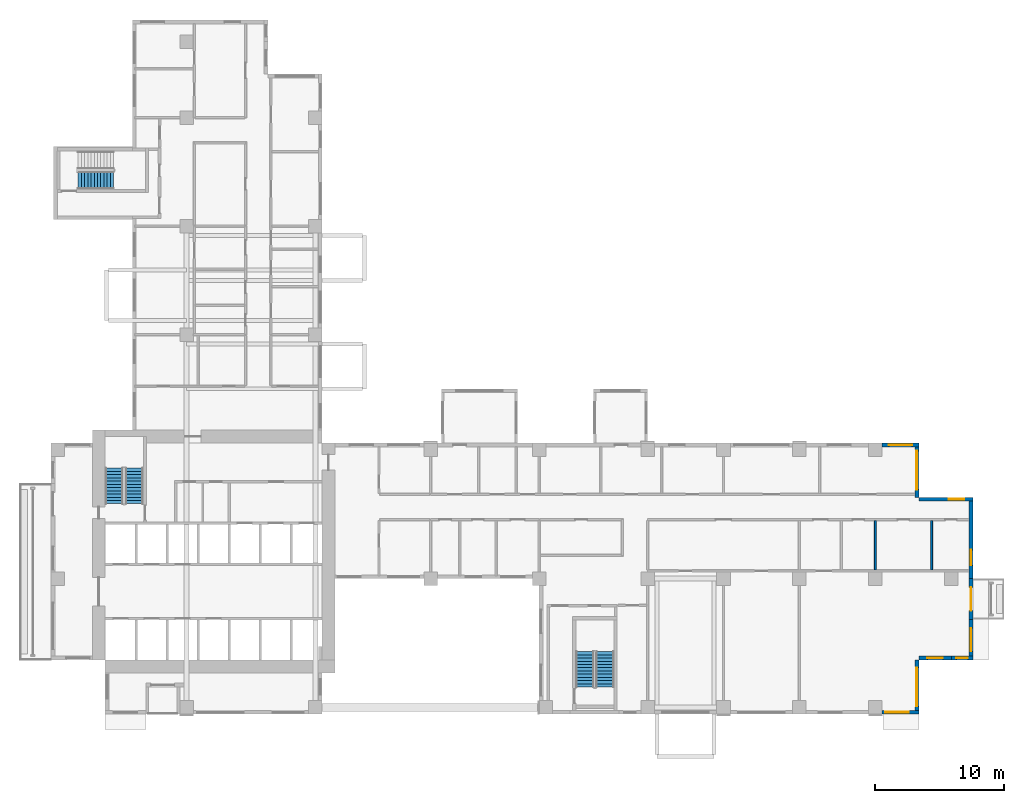
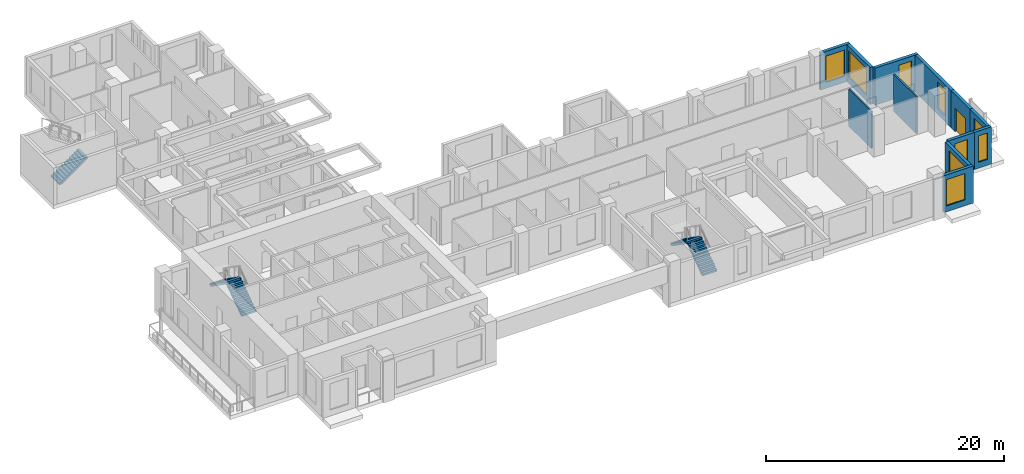
# One storey, part 8 of 14: 12 walls, 9 windows, 5 stair flights, 1 door, 10 openings, 3 elements without a shape of their own.
"""IFC4 building model written with IfcOpenShell, lengths in metres."""

from ifc_helpers import new_model, si_unit, direction, frame, frame_2d, origin, place, context, subcontext, project, spatial, polyline, rectangle, outline, extrude, source, transform, mapped, material, layer, layer_set, type_object, element, fill, aggregate, save


model = new_model("IFC4")

# Units and contexts
model_context = context("Model", 3, precision=1e-05, world=origin(), true_north=direction((0.0, 1.0)))
body_context = subcontext(model_context, "Body", "Model", "MODEL_VIEW")
ifc_project = project(units=[si_unit("LENGTHUNIT", "METRE"), si_unit("AREAUNIT", "SQUARE_METRE"), si_unit("VOLUMEUNIT", "CUBIC_METRE"), si_unit("PLANEANGLEUNIT", "RADIAN"), si_unit("MASSUNIT", "GRAM", prefix="KILO")], contexts=[model_context])

# Site, building, storey
site_placement = place(None, origin())
site = spatial("IfcSite", under=ifc_project, at=site_placement, CompositionType="ELEMENT")
building_placement = place(site_placement, origin())
building = spatial("IfcBuilding", under=site, at=building_placement, Name="Aurelian Terraces", CompositionType="ELEMENT")
storey_placement = place(building_placement, frame((0.0, 0.0, 103.5)))
storey = spatial("IfcBuildingStorey", under=building, at=storey_placement, Name="L22", CompositionType="ELEMENT", Elevation=103.5)

# Wall, opening, window
ifc_material_1 = material(Name="Terracotta rainscreen cladding", Category="masonry")
ifc_layer_1 = layer(ifc_material_1, 0.3)
ifc_layer_set_1 = layer_set([ifc_layer_1], Name="EW-300")
wall_type_1 = type_object("IfcWallType", Name="EW-300", PredefinedType="STANDARD", material=ifc_layer_set_1)
wall_1_placement = place(storey_placement, frame((64.365, 0.15, 0.0), z_axis=(0.0, 0.0, 1.0), x_axis=(1.0, 0.0, 0.0)))
wall_1 = element("IfcWall", 1, at=wall_1_placement, inside=storey, type_object=wall_type_1, Name="External wall L22 F05.13", PredefinedType="STANDARD", context=body_context, shape_type="SweptSolid", body=[
    extrude(rectangle(XDim=2.835, YDim=0.3, at=frame_2d((1.4175, 0.0))), origin(), (0.0, 0.0, 1.0), 3.8),
])
shared_shape_1 = source(origin(), body_context, "Body", "SweptSolid", [
    extrude(rectangle(XDim=1.8, YDim=2.7, at=frame_2d((0.9, 1.35))), frame((0.0, 0.16, 0.0), z_axis=(0.0, -1.0, 0.0), x_axis=(1.0, 0.0, 0.0)), (0.0, 0.0, 1.0), 0.32),
])
opening_1_placement = place(wall_1_placement, frame((0.255, 0.0, 0.6)))
opening_1 = element("IfcOpeningElement", 2, at=opening_1_placement, cuts=wall_1, Name="Opening W1827", PredefinedType="OPENING", context=body_context, shape_type="MappedRepresentation", body=[
    mapped(shared_shape_1, transform((0.0, 0.0, 0.0), scale=1.0)),
])
ifc_material_2 = material(Name="Clear glazing", Category="glass")
window_type_1 = type_object("IfcWindowType", Name="W-1800x2700", PartitioningType="SINGLE_PANEL", PredefinedType="WINDOW", material=ifc_material_2)
shared_shape_2 = source(origin(), body_context, "Body", "SweptSolid", [
    extrude(rectangle(XDim=1.8, YDim=2.7, at=frame_2d((0.9, 1.35))), frame((0.0, 0.03, 0.0), z_axis=(0.0, -1.0, 0.0), x_axis=(1.0, 0.0, 0.0)), (0.0, 0.0, 1.0), 0.06),
])
window_1_placement = place(opening_1_placement, origin())
window_1 = element("IfcWindow", 3, at=window_1_placement, inside=storey, type_object=window_type_1, Name="Window L22 L22-F05-13-0", OverallHeight=2.7, OverallWidth=1.8, PartitioningType="SINGLE_PANEL", PredefinedType="WINDOW", context=body_context, shape_type="MappedRepresentation", body=[
    mapped(shared_shape_2, transform((0.0, 0.0, 0.0), scale=1.0)),
])
fill(opening_1, window_1)

shared_shape_3 = source(origin(), body_context, "Body", "SweptSolid", [
    extrude(rectangle(XDim=3.15, YDim=0.3, at=frame_2d((1.575, 0.0))), origin(), (0.0, 0.0, 1.0), 3.8),
])
wall_2_placement = place(storey_placement, frame((71.25, 4.2, 0.0), z_axis=(0.0, 0.0, 1.0), x_axis=(0.0, 1.0, 0.0)))
wall_2 = element("IfcWall", 4, at=wall_2_placement, inside=storey, type_object=wall_type_1, Name="External wall L22 F08.17", PredefinedType="STANDARD", context=body_context, shape_type="MappedRepresentation", body=[
    mapped(shared_shape_3, transform((0.0, 0.0, 0.0), scale=1.0)),
])
opening_2_placement = place(wall_2_placement, frame((0.675, 0.0, 0.6)))
opening_2 = element("IfcOpeningElement", 5, at=opening_2_placement, cuts=wall_2, Name="Opening W1827", PredefinedType="OPENING", context=body_context, shape_type="MappedRepresentation", body=[
    mapped(shared_shape_1, transform((0.0, 0.0, 0.0), scale=1.0)),
])
window_2_placement = place(opening_2_placement, origin())
window_2 = element("IfcWindow", 6, at=window_2_placement, inside=storey, type_object=window_type_1, Name="Window L22 L22-F08-17-0", OverallHeight=2.7, OverallWidth=1.8, PartitioningType="SINGLE_PANEL", PredefinedType="WINDOW", context=body_context, shape_type="MappedRepresentation", body=[
    mapped(shared_shape_2, transform((0.0, 0.0, 0.0), scale=1.0)),
])
fill(opening_2, window_2)

# Wall, opening, door
wall_3_placement = place(storey_placement, frame((71.25, 7.35, 0.0), z_axis=(0.0, 0.0, 1.0), x_axis=(0.0, 1.0, 0.0)))
wall_3 = element("IfcWall", 7, at=wall_3_placement, inside=storey, type_object=wall_type_1, Name="External wall L22 F08.18", PredefinedType="STANDARD", context=body_context, shape_type="MappedRepresentation", body=[
    mapped(shared_shape_3, transform((0.0, 0.0, 0.0), scale=1.0)),
])
shared_shape_4 = source(origin(), body_context, "Body", "SweptSolid", [
    extrude(rectangle(XDim=1.8, YDim=2.4, at=frame_2d((0.9, 1.2))), frame((0.0, 0.16, 0.0), z_axis=(0.0, -1.0, 0.0), x_axis=(1.0, 0.0, 0.0)), (0.0, 0.0, 1.0), 0.32),
])
opening_3_placement = place(wall_3_placement, frame((0.675, 0.0, 0.0)))
opening_3 = element("IfcOpeningElement", 8, at=opening_3_placement, cuts=wall_3, Name="Opening 82202", PredefinedType="OPENING", context=body_context, shape_type="MappedRepresentation", body=[
    mapped(shared_shape_4, transform((0.0, 0.0, 0.0), scale=1.0)),
])
door_type = type_object("IfcDoorType", Name="BD-1800x2400", OperationType="SLIDING_TO_LEFT", PredefinedType="DOOR", material=ifc_material_2)
shared_shape_5 = source(origin(), body_context, "Body", "SweptSolid", [
    extrude(rectangle(XDim=1.8, YDim=2.4, at=frame_2d((0.9, 1.2))), frame((0.0, 0.025, 0.0), z_axis=(0.0, -1.0, 0.0), x_axis=(1.0, 0.0, 0.0)), (0.0, 0.0, 1.0), 0.05),
])
door_placement = place(opening_3_placement, origin())
door = element("IfcDoor", 9, at=door_placement, inside=storey, type_object=door_type, Name="Balcony door L22 F08.18", OperationType="SLIDING_TO_LEFT", OverallHeight=2.4, OverallWidth=1.8, PredefinedType="DOOR", context=body_context, shape_type="MappedRepresentation", body=[
    mapped(shared_shape_5, transform((0.0, 0.0, 0.0), scale=1.0)),
])
fill(opening_3, door)

# Wall, opening, window
shared_shape_6 = source(origin(), body_context, "Body", "SweptSolid", [
    extrude(rectangle(XDim=4.2, YDim=0.3, at=frame_2d((2.1, 0.0))), origin(), (0.0, 0.0, 1.0), 3.8),
])
wall_4_placement = place(storey_placement, frame((67.05, 0.0, 0.0), z_axis=(0.0, 0.0, 1.0), x_axis=(0.0, 1.0, 0.0)))
wall_4 = element("IfcWall", 10, at=wall_4_placement, inside=storey, type_object=wall_type_1, Name="External wall L22 F06.14", PredefinedType="STANDARD", context=body_context, shape_type="MappedRepresentation", body=[
    mapped(shared_shape_6, transform((0.0, 0.0, 0.0), scale=1.0)),
])
shared_shape_7 = source(origin(), body_context, "Body", "SweptSolid", [
    extrude(rectangle(XDim=3.0, YDim=2.7, at=frame_2d((1.5, 1.35))), frame((0.0, 0.16, 0.0), z_axis=(0.0, -1.0, 0.0), x_axis=(1.0, 0.0, 0.0)), (0.0, 0.0, 1.0), 0.32),
])
opening_4_placement = place(wall_4_placement, frame((0.6, 0.0, 0.6)))
opening_4 = element("IfcOpeningElement", 11, at=opening_4_placement, cuts=wall_4, Name="Opening W3027", PredefinedType="OPENING", context=body_context, shape_type="MappedRepresentation", body=[
    mapped(shared_shape_7, transform((0.0, 0.0, 0.0), scale=1.0)),
])
window_type_2 = type_object("IfcWindowType", Name="W-3000x2700", PartitioningType="SINGLE_PANEL", PredefinedType="WINDOW", material=ifc_material_2)
shared_shape_8 = source(origin(), body_context, "Body", "SweptSolid", [
    extrude(rectangle(XDim=3.0, YDim=2.7, at=frame_2d((1.5, 1.35))), frame((0.0, 0.03, 0.0), z_axis=(0.0, -1.0, 0.0), x_axis=(1.0, 0.0, 0.0)), (0.0, 0.0, 1.0), 0.06),
])
window_3_placement = place(opening_4_placement, origin())
window_3 = element("IfcWindow", 12, at=window_3_placement, inside=storey, type_object=window_type_2, Name="Window L22 L22-F06-14-0", OverallHeight=2.7, OverallWidth=3.0, PartitioningType="SINGLE_PANEL", PredefinedType="WINDOW", context=body_context, shape_type="MappedRepresentation", body=[
    mapped(shared_shape_8, transform((0.0, 0.0, 0.0), scale=1.0)),
])
fill(opening_4, window_3)

wall_5_placement = place(storey_placement, frame((71.4, 16.65, 0.0), z_axis=(0.0, 0.0, 1.0), x_axis=(-1.0, 0.0, 0.0)))
wall_5 = element("IfcWall", 13, at=wall_5_placement, inside=storey, type_object=wall_type_1, Name="External wall L22 F09.20", PredefinedType="STANDARD", context=body_context, shape_type="MappedRepresentation", body=[
    mapped(shared_shape_6, transform((0.0, 0.0, 0.0), scale=1.0)),
])
shared_shape_9 = source(origin(), body_context, "Body", "SweptSolid", [
    extrude(rectangle(XDim=1.2, YDim=2.7, at=frame_2d((0.6, 1.35))), frame((0.0, 0.16, 0.0), z_axis=(0.0, -1.0, 0.0), x_axis=(1.0, 0.0, 0.0)), (0.0, 0.0, 1.0), 0.32),
])
opening_5_placement = place(wall_5_placement, frame((0.66, 0.0, 0.6)))
opening_5 = element("IfcOpeningElement", 14, at=opening_5_placement, cuts=wall_5, Name="Opening W1227", PredefinedType="OPENING", context=body_context, shape_type="MappedRepresentation", body=[
    mapped(shared_shape_9, transform((0.0, 0.0, 0.0), scale=1.0)),
])
window_type_3 = type_object("IfcWindowType", Name="W-1200x2700", PartitioningType="SINGLE_PANEL", PredefinedType="WINDOW", material=ifc_material_2)
shared_shape_10 = source(origin(), body_context, "Body", "SweptSolid", [
    extrude(rectangle(XDim=1.2, YDim=2.7, at=frame_2d((0.6, 1.35))), frame((0.0, 0.03, 0.0), z_axis=(0.0, -1.0, 0.0), x_axis=(1.0, 0.0, 0.0)), (0.0, 0.0, 1.0), 0.06),
])
window_4_placement = place(opening_5_placement, origin())
window_4 = element("IfcWindow", 15, at=window_4_placement, inside=storey, type_object=window_type_3, Name="Window L22 L22-F09-20-0", OverallHeight=2.7, OverallWidth=1.2, PartitioningType="SINGLE_PANEL", PredefinedType="WINDOW", context=body_context, shape_type="MappedRepresentation", body=[
    mapped(shared_shape_10, transform((0.0, 0.0, 0.0), scale=1.0)),
])
fill(opening_5, window_4)

wall_6_placement = place(storey_placement, frame((67.05, 16.8, 0.0), z_axis=(0.0, 0.0, 1.0), x_axis=(0.0, 1.0, 0.0)))
wall_6 = element("IfcWall", 16, at=wall_6_placement, inside=storey, type_object=wall_type_1, Name="External wall L22 F10.21", PredefinedType="STANDARD", context=body_context, shape_type="MappedRepresentation", body=[
    mapped(shared_shape_6, transform((0.0, 0.0, 0.0), scale=1.0)),
])
opening_6_placement = place(wall_6_placement, frame((0.6, 0.0, 0.6)))
opening_6 = element("IfcOpeningElement", 17, at=opening_6_placement, cuts=wall_6, Name="Opening W3027", PredefinedType="OPENING", context=body_context, shape_type="MappedRepresentation", body=[
    mapped(shared_shape_7, transform((0.0, 0.0, 0.0), scale=1.0)),
])
window_5_placement = place(opening_6_placement, origin())
window_5 = element("IfcWindow", 18, at=window_5_placement, inside=storey, type_object=window_type_2, Name="Window L22 L22-F10-21-0", OverallHeight=2.7, OverallWidth=3.0, PartitioningType="SINGLE_PANEL", PredefinedType="WINDOW", context=body_context, shape_type="MappedRepresentation", body=[
    mapped(shared_shape_8, transform((0.0, 0.0, 0.0), scale=1.0)),
])
fill(opening_6, window_5)

shared_shape_11 = source(origin(), body_context, "Body", "SweptSolid", [
    extrude(rectangle(XDim=2.52, YDim=0.3, at=frame_2d((1.26, 0.0))), origin(), (0.0, 0.0, 1.0), 3.8),
])
wall_7_placement = place(storey_placement, frame((67.2, 4.35, 0.0), z_axis=(0.0, 0.0, 1.0), x_axis=(1.0, 0.0, 0.0)))
wall_7 = element("IfcWall", 19, at=wall_7_placement, inside=storey, type_object=wall_type_1, Name="External wall L22 F07.15", PredefinedType="STANDARD", context=body_context, shape_type="MappedRepresentation", body=[
    mapped(shared_shape_11, transform((0.0, 0.0, 0.0), scale=1.0)),
])
opening_7_placement = place(wall_7_placement, frame((0.66, 0.0, 0.6)))
opening_7 = element("IfcOpeningElement", 20, at=opening_7_placement, cuts=wall_7, Name="Opening W1227", PredefinedType="OPENING", context=body_context, shape_type="MappedRepresentation", body=[
    mapped(shared_shape_9, transform((0.0, 0.0, 0.0), scale=1.0)),
])
window_6_placement = place(opening_7_placement, origin())
window_6 = element("IfcWindow", 21, at=window_6_placement, inside=storey, type_object=window_type_3, Name="Window L22 L22-F07-15-0", OverallHeight=2.7, OverallWidth=1.2, PartitioningType="SINGLE_PANEL", PredefinedType="WINDOW", context=body_context, shape_type="MappedRepresentation", body=[
    mapped(shared_shape_10, transform((0.0, 0.0, 0.0), scale=1.0)),
])
fill(opening_7, window_6)

shared_shape_12 = source(origin(), body_context, "Body", "SweptSolid", [
    extrude(rectangle(XDim=1.68, YDim=0.3, at=frame_2d((0.84, 0.0))), origin(), (0.0, 0.0, 1.0), 3.8),
])
wall_8_placement = place(storey_placement, frame((69.72, 4.35, 0.0), z_axis=(0.0, 0.0, 1.0), x_axis=(1.0, 0.0, 0.0)))
wall_8 = element("IfcWall", 22, at=wall_8_placement, inside=storey, type_object=wall_type_1, Name="External wall L22 F07.16", PredefinedType="STANDARD", context=body_context, shape_type="MappedRepresentation", body=[
    mapped(shared_shape_12, transform((0.0, 0.0, 0.0), scale=1.0)),
])
shared_shape_13 = source(origin(), body_context, "Body", "SweptSolid", [
    extrude(rectangle(XDim=0.9, YDim=2.7, at=frame_2d((0.45, 1.35))), frame((0.0, 0.16, 0.0), z_axis=(0.0, -1.0, 0.0), x_axis=(1.0, 0.0, 0.0)), (0.0, 0.0, 1.0), 0.32),
])
opening_8_placement = place(wall_8_placement, frame((0.39, 0.0, 0.6)))
opening_8 = element("IfcOpeningElement", 23, at=opening_8_placement, cuts=wall_8, Name="Opening W0927", PredefinedType="OPENING", context=body_context, shape_type="MappedRepresentation", body=[
    mapped(shared_shape_13, transform((0.0, 0.0, 0.0), scale=1.0)),
])
window_type_4 = type_object("IfcWindowType", Name="W-900x2700", PartitioningType="SINGLE_PANEL", PredefinedType="WINDOW", material=ifc_material_2)
shared_shape_14 = source(origin(), body_context, "Body", "SweptSolid", [
    extrude(rectangle(XDim=0.9, YDim=2.7, at=frame_2d((0.45, 1.35))), frame((0.0, 0.03, 0.0), z_axis=(0.0, -1.0, 0.0), x_axis=(1.0, 0.0, 0.0)), (0.0, 0.0, 1.0), 0.06),
])
window_7_placement = place(opening_8_placement, origin())
window_7 = element("IfcWindow", 24, at=window_7_placement, inside=storey, type_object=window_type_4, Name="Window L22 L22-F07-16-P0", OverallHeight=2.7, OverallWidth=0.9, PartitioningType="SINGLE_PANEL", PredefinedType="WINDOW", context=body_context, shape_type="MappedRepresentation", body=[
    mapped(shared_shape_14, transform((0.0, 0.0, 0.0), scale=1.0)),
])
fill(opening_8, window_7)

shared_shape_15 = source(origin(), body_context, "Body", "SweptSolid", [
    extrude(rectangle(XDim=6.3, YDim=0.3, at=frame_2d((3.15, 0.0))), origin(), (0.0, 0.0, 1.0), 3.8),
])
wall_9_placement = place(storey_placement, frame((71.25, 10.5, 0.0), z_axis=(0.0, 0.0, 1.0), x_axis=(0.0, 1.0, 0.0)))
wall_9 = element("IfcWall", 25, at=wall_9_placement, inside=storey, type_object=wall_type_1, Name="External wall L22 F08.19", PredefinedType="STANDARD", context=body_context, shape_type="MappedRepresentation", body=[
    mapped(shared_shape_15, transform((0.0, 0.0, 0.0), scale=1.0)),
])
opening_9_placement = place(wall_9_placement, frame((1.025, 0.0, 0.6)))
opening_9 = element("IfcOpeningElement", 26, at=opening_9_placement, cuts=wall_9, Name="Opening W1227", PredefinedType="OPENING", context=body_context, shape_type="MappedRepresentation", body=[
    mapped(shared_shape_9, transform((0.0, 0.0, 0.0), scale=1.0)),
])
window_8_placement = place(opening_9_placement, origin())
window_8 = element("IfcWindow", 27, at=window_8_placement, inside=storey, type_object=window_type_3, Name="Window L22 L22-F08-19-0", OverallHeight=2.7, OverallWidth=1.2, PartitioningType="SINGLE_PANEL", PredefinedType="WINDOW", context=body_context, shape_type="MappedRepresentation", body=[
    mapped(shared_shape_10, transform((0.0, 0.0, 0.0), scale=1.0)),
])
fill(opening_9, window_8)

shared_shape_16 = source(origin(), body_context, "Body", "SweptSolid", [
    extrude(rectangle(XDim=2.835, YDim=0.3, at=frame_2d((1.4175, 0.0))), origin(), (0.0, 0.0, 1.0), 3.8),
])
wall_10_placement = place(storey_placement, frame((67.2, 20.85, 0.0), z_axis=(0.0, 0.0, 1.0), x_axis=(-1.0, 0.0, 0.0)))
wall_10 = element("IfcWall", 28, at=wall_10_placement, inside=storey, type_object=wall_type_1, Name="External wall L22 F11.22", PredefinedType="STANDARD", context=body_context, shape_type="MappedRepresentation", body=[
    mapped(shared_shape_16, transform((0.0, 0.0, 0.0), scale=1.0)),
])
opening_10_placement = place(wall_10_placement, frame((0.5175, 0.0, 0.6)))
opening_10 = element("IfcOpeningElement", 29, at=opening_10_placement, cuts=wall_10, Name="Opening W1827", PredefinedType="OPENING", context=body_context, shape_type="MappedRepresentation", body=[
    mapped(shared_shape_1, transform((0.0, 0.0, 0.0), scale=1.0)),
])
window_9_placement = place(opening_10_placement, origin())
window_9 = element("IfcWindow", 30, at=window_9_placement, inside=storey, type_object=window_type_1, Name="Window L22 L22-F11-22-P0", OverallHeight=2.7, OverallWidth=1.8, PartitioningType="SINGLE_PANEL", PredefinedType="WINDOW", context=body_context, shape_type="MappedRepresentation", body=[
    mapped(shared_shape_2, transform((0.0, 0.0, 0.0), scale=1.0)),
])
fill(opening_10, window_9)

# Walls
ifc_material_3 = material(Name="Gypsum board on steel studs", Category="steel")
ifc_layer_2 = layer(ifc_material_3, 0.15)
ifc_layer_set_2 = layer_set([ifc_layer_2], Name="Partition 150")
wall_type_2 = type_object("IfcWallType", Name="Partition 150", PredefinedType="PARTITIONING", material=ifc_layer_set_2)
shared_shape_17 = source(origin(), body_context, "Body", "SweptSolid", [
    extrude(rectangle(XDim=3.825, YDim=0.15, at=frame_2d((1.9125, 0.0))), origin(), (0.0, 0.0, 1.0), 3.8),
])
for number, where, z_axis, x_axis, name in (
    (31, (63.84, 11.175, 0.0), (0.0, 0.0, 1.0), (0.0, 1.0, 0.0), "Partition"),
    (32, (68.1973, 11.175, 0.0), (0.0, 0.0, 1.0), (0.0, 1.0, 0.0), "Partition"),
):
    element("IfcWall", number, at=place(storey_placement, frame(where, z_axis=z_axis, x_axis=x_axis)), inside=storey, type_object=wall_type_2, Name=name, PredefinedType="PARTITIONING", context=body_context, shape_type="MappedRepresentation", body=[
        mapped(shared_shape_17, transform((0.0, 0.0, 0.0), scale=1.0)),
    ])

# Stair, stair flights
ifc_material_4 = material(Name="Concrete fc' 40 MPa", Category="concrete")
stair_type = type_object("IfcStairType", Name="Stair 1400", PredefinedType="HALF_TURN_STAIR", material=ifc_material_4)
stair_1_placement = place(storey_placement, origin())
stair_1 = element("IfcStair", 33, at=stair_1_placement, inside=storey, type_object=stair_type, Name="L22 S1", PredefinedType="HALF_TURN_STAIR")
stair_flight_type = type_object("IfcStairFlightType", Name="Stair flight 1400", PredefinedType="STRAIGHT", material=ifc_material_4)
shared_shape_18 = source(origin(), body_context, "Body", "SweptSolid", [
    extrude(outline(polyline([(0.0, 0.0), (0.0, 0.175), (0.25, 0.175), (0.25, 0.35), (0.5, 0.35), (0.5, 0.525), (0.75, 0.525), (0.75, 0.7), (1.0, 0.7), (1.0, 0.875), (1.25, 0.875), (1.25, 1.05), (1.5, 1.05), (1.5, 1.225), (1.75, 1.225), (1.75, 1.4), (2.0, 1.4), (2.0, 1.575), (2.25, 1.575), (2.25, 1.75), (2.5, 1.75), (2.5, 1.925), (2.75, 1.925), (2.75, 2.1), (2.75, 1.7419), (0.2616, 0.0), (0.0, 0.0)])), frame((0.0, 0.7, 0.0), z_axis=(0.0, -1.0, 0.0), x_axis=(1.0, 0.0, 0.0)), (0.0, 0.0, 1.0), 1.4),
])
stair_flight_1_placement = place(storey_placement, frame((6.45, 16.3, 2e-08), z_axis=(0.0, 0.0, 1.0), x_axis=(0.0, 1.0, 0.0)))
stair_flight_1 = element("IfcStairFlight", 34, at=stair_flight_1_placement, type_object=stair_flight_type, Name="S1 flight 1", NumberOfRisers=12, NumberOfTreads=11, PredefinedType="STRAIGHT", RiserHeight=0.175, TreadLength=0.25, context=body_context, shape_type="MappedRepresentation", body=[
    mapped(shared_shape_18, transform((0.0, 0.0, 0.0), scale=1.0)),
])
stair_flight_2_placement = place(storey_placement, frame((4.9, 19.05, 2.100000019999994), z_axis=(0.0, 0.0, 1.0), x_axis=(0.0, -1.0, 0.0)))
stair_flight_2 = element("IfcStairFlight", 35, at=stair_flight_2_placement, type_object=stair_flight_type, Name="S1 flight 2", NumberOfRisers=12, NumberOfTreads=11, PredefinedType="STRAIGHT", RiserHeight=0.175, TreadLength=0.25, context=body_context, shape_type="MappedRepresentation", body=[
    mapped(shared_shape_18, transform((0.0, 0.0, 0.0), scale=1.0)),
])
aggregate(stair_1, [stair_flight_1, stair_flight_2])

stair_2_placement = place(storey_placement, origin())
stair_2 = element("IfcStair", 36, at=stair_2_placement, inside=storey, type_object=stair_type, Name="L22 S2", PredefinedType="HALF_TURN_STAIR")
stair_flight_3_placement = place(storey_placement, frame((42.9, 2.1, 2e-08), z_axis=(0.0, 0.0, 1.0), x_axis=(0.0, 1.0, 0.0)))
stair_flight_3 = element("IfcStairFlight", 37, at=stair_flight_3_placement, type_object=stair_flight_type, Name="S2 flight 1", NumberOfRisers=12, NumberOfTreads=11, PredefinedType="STRAIGHT", RiserHeight=0.175, TreadLength=0.25, context=body_context, shape_type="MappedRepresentation", body=[
    mapped(shared_shape_18, transform((0.0, 0.0, 0.0), scale=1.0)),
])
stair_flight_4_placement = place(storey_placement, frame((41.35, 4.85, 2.100000019999994), z_axis=(0.0, 0.0, 1.0), x_axis=(0.0, -1.0, 0.0)))
stair_flight_4 = element("IfcStairFlight", 38, at=stair_flight_4_placement, type_object=stair_flight_type, Name="S2 flight 2", NumberOfRisers=12, NumberOfTreads=11, PredefinedType="STRAIGHT", RiserHeight=0.175, TreadLength=0.25, context=body_context, shape_type="MappedRepresentation", body=[
    mapped(shared_shape_18, transform((0.0, 0.0, 0.0), scale=1.0)),
])
aggregate(stair_2, [stair_flight_3, stair_flight_4])

# Stair, stair flight
stair_3_placement = place(storey_placement, origin())
stair_3 = element("IfcStair", 39, at=stair_3_placement, inside=storey, type_object=stair_type, Name="L22 S3", PredefinedType="HALF_TURN_STAIR")
stair_flight_5_placement = place(storey_placement, frame((2.1, 41.35, 2e-08), z_axis=(0.0, 0.0, 1.0), x_axis=(1.0, 0.0, 0.0)))
stair_flight_5 = element("IfcStairFlight", 40, at=stair_flight_5_placement, type_object=stair_flight_type, Name="S3 flight 1", NumberOfRisers=12, NumberOfTreads=11, PredefinedType="STRAIGHT", RiserHeight=0.175, TreadLength=0.25, context=body_context, shape_type="MappedRepresentation", body=[
    mapped(shared_shape_18, transform((0.0, 0.0, 0.0), scale=1.0)),
])
aggregate(stair_3, [stair_flight_5])

save(model, "model.ifc")
